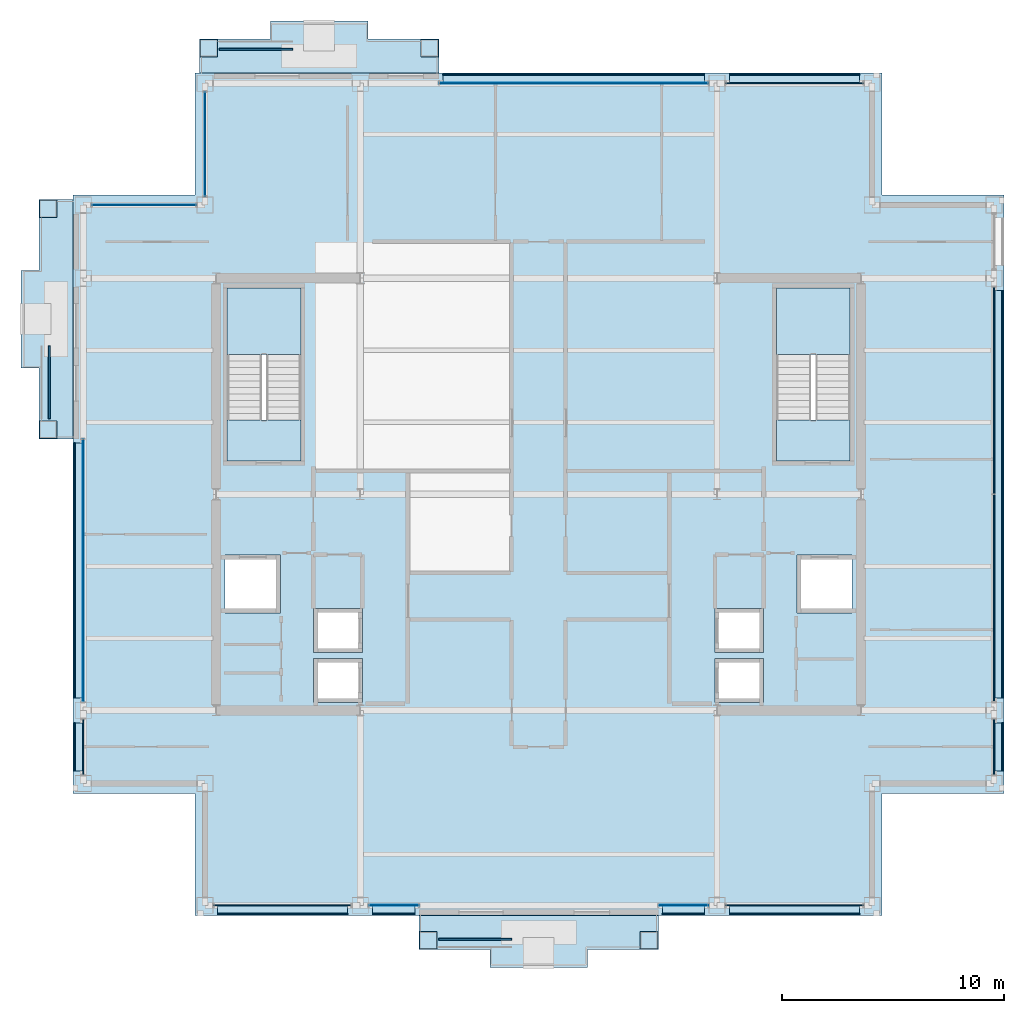
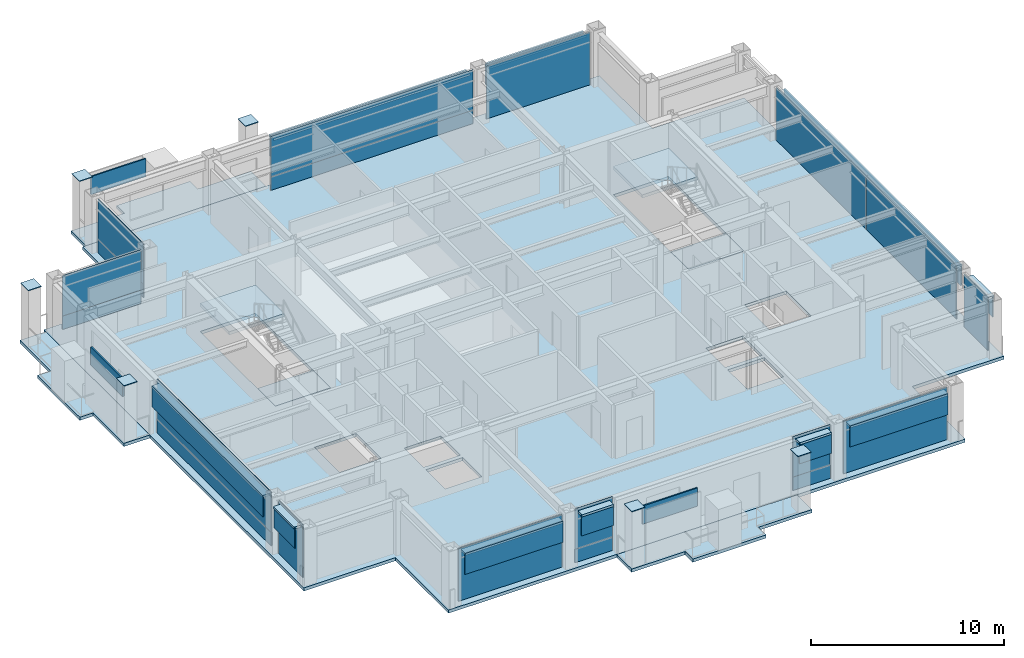
# One storey, part 23 of 30: 48 plates, 8 slabs, 14 elements without a shape of their own.
"""IFC4 building model written with IfcOpenShell, lengths in metres."""

from ifc_helpers import new_model, si_unit, direction, frame, origin, origin_2d, place, context, subcontext, project, spatial, polyline, rectangle, outline, extrude, material, layer, layer_set, type_object, element, aggregate, save


model = new_model("IFC4")

# Units and contexts
model_context = context("Model", 3, precision=1e-05, world=origin(), true_north=direction((0.0, 1.0)))
body_context = subcontext(model_context, "Body", "Model", "MODEL_VIEW")
ifc_project = project(units=[si_unit("LENGTHUNIT", "METRE"), si_unit("AREAUNIT", "SQUARE_METRE"), si_unit("VOLUMEUNIT", "CUBIC_METRE"), si_unit("PLANEANGLEUNIT", "RADIAN"), si_unit("MASSUNIT", "GRAM", prefix="KILO")], contexts=[model_context])

# Site, building, storey
site_placement = place(None, origin())
site = spatial("IfcSite", under=ifc_project, at=site_placement, CompositionType="ELEMENT")
building_placement = place(site_placement, origin())
building = spatial("IfcBuilding", under=site, at=building_placement, Name="Brelmoor Portico Tower", CompositionType="ELEMENT")
storey_placement = place(building_placement, frame((0.0, 0.0, 169.5)))
storey = spatial("IfcBuildingStorey", under=building, at=storey_placement, Name="L44", CompositionType="ELEMENT", Elevation=169.5)

# Plates
ifc_material_1 = material(Name="Steel Q355B", Category="steel")
ifc_layer_1 = layer(ifc_material_1, 0.044921875)
ifc_layer_set_1 = layer_set([ifc_layer_1], Name="Steel Q355B")
plate_type_1 = type_object("IfcPlateType", Name="PT-CAP-650", PredefinedType="SHEET", material=ifc_layer_set_1)
for number, where, z_axis, x_axis, name in (
    (1, (-4.97998046875, -20.1298828125, 3.60009765625), (0.0, 0.0, 1.0), (1.0, 0.0, 0.0), "L44 Proud Picture-Frame Pier PFJ-S1 Welded Head Cap Plate"),
    (2, (4.97998046875, -20.1298828125, 3.60009765625), (0.0, 0.0, 1.0), (1.0, 0.0, 0.0), "L44 Proud Picture-Frame Pier PFJ-S2 Welded Head Cap Plate"),
    (3, (-14.8798828125, 20.1298828125, 3.60009765625), (0.0, 0.0, 1.0), (1.0, 0.0, 0.0), "L44 Proud Picture-Frame Pier PFJ-N1 Welded Head Cap Plate"),
    (4, (-4.919921875, 20.1298828125, 3.60009765625), (0.0, 0.0, 1.0), (1.0, 0.0, 0.0), "L44 Proud Picture-Frame Pier PFJ-N2 Welded Head Cap Plate"),
    (5, (-22.1298828125, 2.919921875, 3.60009765625), (0.0, 0.0, 1.0), (0.0, 1.0, 0.0), "L44 Proud Picture-Frame Pier PFJ-W1 Welded Head Cap Plate"),
    (6, (-22.1298828125, 12.8798828125, 3.60009765625), (0.0, 0.0, 1.0), (0.0, 1.0, 0.0), "L44 Proud Picture-Frame Pier PFJ-W2 Welded Head Cap Plate"),
):
    element("IfcPlate", number, at=place(storey_placement, frame(where, z_axis=z_axis, x_axis=x_axis)), inside=storey, type_object=plate_type_1, Name=name, PredefinedType="SHEET", context=body_context, shape_type="SweptSolid", body=[
        extrude(rectangle(XDim=0.7900390625, YDim=0.7900390625, at=origin_2d()), origin(), (0.0, 0.0, 1.0), 0.0400390625),
    ])

# Curtain wall, plate
ifc_material_2 = material(Name="Anodised Aluminium Alloy 6063-T6", Category="aluminium")
ifc_layer_2 = layer(ifc_material_2, 0.179931640625)
ifc_layer_set_2 = layer_set([ifc_layer_2], Name="Anodised Aluminium Alloy 6063-T6")
curtain_wall_type_1 = type_object("IfcCurtainWallType", Name="CW-TOWER-Z3", PredefinedType="NOTDEFINED", material=ifc_layer_set_2)
curtain_wall_1_placement = place(storey_placement, origin())
curtain_wall_1 = element("IfcCurtainWall", 7, at=curtain_wall_1_placement, inside=storey, type_object=curtain_wall_type_1, Name="L44 Curtain Wall CW-L44-1L-2", PredefinedType="NOTDEFINED")
ifc_material_3 = material(Name="Double-Silver Low-E Insulated Glazing", Category="glass")
ifc_layer_3 = layer(ifc_material_3, 0.035888671875)
ifc_layer_set_3 = layer_set([ifc_layer_3], Name="Double-Silver Low-E Insulated Glazing")
plate_type_2 = type_object("IfcPlateType", Name="PT-CW-GLASS", PredefinedType="CURTAIN_PANEL", material=ifc_layer_set_3)
plate_1_placement = place(storey_placement, frame((-6.532470703125, -18.550048828125, 0.85009765625), z_axis=(0.0, 0.0, 1.0), x_axis=(1.0, 0.0, 0.0)))
plate_1 = element("IfcPlate", 8, at=plate_1_placement, type_object=plate_type_2, Name="CW-L44-1L-2 Vision Glass Panel 00", PredefinedType="CURTAIN_PANEL", context=body_context, shape_type="SweptSolid", body=[
    extrude(rectangle(XDim=2.235107421875, YDim=0.035888671875, at=origin_2d()), origin(), (0.0, 0.0, 1.0), 2.550048828125),
])

curtain_wall_2_placement = place(storey_placement, origin())
curtain_wall_2 = element("IfcCurtainWall", 9, at=curtain_wall_2_placement, inside=storey, type_object=curtain_wall_type_1, Name="L44 Curtain Wall CW-L44-1R-1", PredefinedType="NOTDEFINED")
plate_2_placement = place(storey_placement, frame((6.532470703125, -18.550048828125, 0.85009765625), z_axis=(0.0, 0.0, 1.0), x_axis=(1.0, 0.0, 0.0)))
plate_2 = element("IfcPlate", 10, at=plate_2_placement, type_object=plate_type_2, Name="CW-L44-1R-1 Vision Glass Panel 00", PredefinedType="CURTAIN_PANEL", context=body_context, shape_type="SweptSolid", body=[
    extrude(rectangle(XDim=2.235107421875, YDim=0.035888671875, at=origin_2d()), origin(), (0.0, 0.0, 1.0), 2.550048828125),
])

curtain_wall_3_placement = place(storey_placement, origin())
curtain_wall_3 = element("IfcCurtainWall", 11, at=curtain_wall_3_placement, inside=storey, type_object=curtain_wall_type_1, Name="L44 Curtain Wall CW-L44-2R-1", PredefinedType="NOTDEFINED")
plate_3_placement = place(storey_placement, frame((1.58251953125, 18.550048828125, 0.85009765625), z_axis=(0.0, 0.0, 1.0), x_axis=(1.0, 0.0, 0.0)))
plate_3 = element("IfcPlate", 12, at=plate_3_placement, type_object=plate_type_2, Name="CW-L44-2R-1 Vision Glass Panel 00", PredefinedType="CURTAIN_PANEL", context=body_context, shape_type="SweptSolid", body=[
    extrude(rectangle(XDim=12.135009765625, YDim=0.035888671875, at=origin_2d()), origin(), (0.0, 0.0, 1.0), 2.550048828125),
])

curtain_wall_4_placement = place(storey_placement, origin())
curtain_wall_4 = element("IfcCurtainWall", 13, at=curtain_wall_4_placement, inside=storey, type_object=curtain_wall_type_1, Name="L44 Curtain Wall CW-L44-3L-2", PredefinedType="NOTDEFINED")
plate_4_placement = place(storey_placement, frame((-20.550048828125, -3.4326171875, 0.85009765625), z_axis=(0.0, 0.0, 1.0), x_axis=(0.0, 1.0, 0.0)))
plate_4 = element("IfcPlate", 14, at=plate_4_placement, type_object=plate_type_2, Name="CW-L44-3L-2 Vision Glass Panel 00", PredefinedType="CURTAIN_PANEL", context=body_context, shape_type="SweptSolid", body=[
    extrude(rectangle(XDim=11.8349609375, YDim=0.035888671875, at=origin_2d()), origin(), (0.0, 0.0, 1.0), 2.550048828125),
])

ifc_layer_4 = layer(ifc_material_2, 0.179931640625)
ifc_layer_set_4 = layer_set([ifc_layer_4], Name="Anodised Aluminium Alloy 6063-T6")
curtain_wall_type_2 = type_object("IfcCurtainWallType", Name="CW-NOTCH-CHAMFER", PredefinedType="NOTDEFINED", material=ifc_layer_set_4)
curtain_wall_5_placement = place(storey_placement, origin())
curtain_wall_5 = element("IfcCurtainWall", 15, at=curtain_wall_5_placement, inside=storey, type_object=curtain_wall_type_2, Name="L44 Curtain Wall CWN-L44-NWH", PredefinedType="NOTDEFINED")
plate_5_placement = place(storey_placement, frame((-17.800048828125, 13.050048828125, 0.85009765625), z_axis=(0.0, 0.0, 1.0), x_axis=(1.0, 0.0, 0.0)))
plate_5 = element("IfcPlate", 16, at=plate_5_placement, type_object=plate_type_2, Name="CWN-L44-NWH Vision Glass Panel 00", PredefinedType="CURTAIN_PANEL", context=body_context, shape_type="SweptSolid", body=[
    extrude(rectangle(XDim=4.699951171875, YDim=0.035888671875, at=origin_2d()), origin(), (0.0, 0.0, 1.0), 2.550048828125),
])

curtain_wall_6_placement = place(storey_placement, origin())
curtain_wall_6 = element("IfcCurtainWall", 17, at=curtain_wall_6_placement, inside=storey, type_object=curtain_wall_type_2, Name="L44 Curtain Wall CWN-L44-NWV", PredefinedType="NOTDEFINED")
plate_6_placement = place(storey_placement, frame((-15.050048828125, 15.800048828125, 0.85009765625), z_axis=(0.0, 0.0, 1.0), x_axis=(0.0, 1.0, 0.0)))
plate_6 = element("IfcPlate", 18, at=plate_6_placement, type_object=plate_type_2, Name="CWN-L44-NWV Vision Glass Panel 00", PredefinedType="CURTAIN_PANEL", context=body_context, shape_type="SweptSolid", body=[
    extrude(rectangle(XDim=4.699951171875, YDim=0.035888671875, at=origin_2d()), origin(), (0.0, 0.0, 1.0), 2.550048828125),
])

ifc_layer_5 = layer(ifc_material_2, 0.179931640625)
ifc_layer_set_5 = layer_set([ifc_layer_5], Name="Anodised Aluminium Alloy 6063-T6")
curtain_wall_type_3 = type_object("IfcCurtainWallType", Name="CW-TOWER-Z3-XB", PredefinedType="NOTDEFINED", material=ifc_layer_set_5)
curtain_wall_7_placement = place(storey_placement, origin())
curtain_wall_7 = element("IfcCurtainWall", 19, at=curtain_wall_7_placement, inside=storey, type_object=curtain_wall_type_3, Name="L44 Curtain Wall CW-L44-1L-1", PredefinedType="NOTDEFINED")
ifc_material_4 = material(Name="Pale Champagne Anodised Aluminium Panel", Category="aluminium")
ifc_layer_6 = layer(ifc_material_4, 0.050048828125)
ifc_layer_set_6 = layer_set([ifc_layer_6], Name="Pale Champagne Anodised Aluminium Panel")
plate_type_3 = type_object("IfcPlateType", Name="PT-CW-SPANDREL", PredefinedType="SHEET", material=ifc_layer_set_6)
plate_7_placement = place(storey_placement, frame((-11.550048828125, -18.550048828125, 0.0), z_axis=(0.0, 0.0, 1.0), x_axis=(1.0, 0.0, 0.0)))
plate_7 = element("IfcPlate", 20, at=plate_7_placement, type_object=plate_type_3, Name="CW-L44-1L-1 Spandrel Panel 00", PredefinedType="SHEET", context=body_context, shape_type="SweptSolid", body=[
    extrude(rectangle(XDim=6.199951171875, YDim=0.050048828125, at=origin_2d()), origin(), (0.0, 0.0, 1.0), 3.33740234375),
])
aggregate(curtain_wall_7, [plate_7])

# Plate
plate_8_placement = place(storey_placement, frame((-6.532470703125, -18.550048828125, 0.0), z_axis=(0.0, 0.0, 1.0), x_axis=(1.0, 0.0, 0.0)))
plate_8 = element("IfcPlate", 21, at=plate_8_placement, type_object=plate_type_3, Name="CW-L44-1L-2 Spandrel Panel 00", PredefinedType="SHEET", context=body_context, shape_type="SweptSolid", body=[
    extrude(rectangle(XDim=2.235107421875, YDim=0.050048828125, at=origin_2d()), origin(), (0.0, 0.0, 1.0), 0.85009765625),
])

aggregate(curtain_wall_1, [plate_8, plate_1])

plate_9_placement = place(storey_placement, frame((6.532470703125, -18.550048828125, 0.0), z_axis=(0.0, 0.0, 1.0), x_axis=(1.0, 0.0, 0.0)))
plate_9 = element("IfcPlate", 22, at=plate_9_placement, type_object=plate_type_3, Name="CW-L44-1R-1 Spandrel Panel 00", PredefinedType="SHEET", context=body_context, shape_type="SweptSolid", body=[
    extrude(rectangle(XDim=2.235107421875, YDim=0.050048828125, at=origin_2d()), origin(), (0.0, 0.0, 1.0), 0.85009765625),
])

aggregate(curtain_wall_2, [plate_9, plate_2])

# Curtain wall, plate
curtain_wall_8_placement = place(storey_placement, origin())
curtain_wall_8 = element("IfcCurtainWall", 23, at=curtain_wall_8_placement, inside=storey, type_object=curtain_wall_type_3, Name="L44 Curtain Wall CW-L44-1R-2", PredefinedType="NOTDEFINED")
plate_10_placement = place(storey_placement, frame((11.550048828125, -18.550048828125, 0.0), z_axis=(0.0, 0.0, 1.0), x_axis=(1.0, 0.0, 0.0)))
plate_10 = element("IfcPlate", 24, at=plate_10_placement, type_object=plate_type_3, Name="CW-L44-1R-2 Spandrel Panel 00", PredefinedType="SHEET", context=body_context, shape_type="SweptSolid", body=[
    extrude(rectangle(XDim=6.199951171875, YDim=0.050048828125, at=origin_2d()), origin(), (0.0, 0.0, 1.0), 3.33740234375),
])
aggregate(curtain_wall_8, [plate_10])

# Plate
plate_11_placement = place(storey_placement, frame((1.58251953125, 18.550048828125, 0.0), z_axis=(0.0, 0.0, 1.0), x_axis=(1.0, 0.0, 0.0)))
plate_11 = element("IfcPlate", 25, at=plate_11_placement, type_object=plate_type_3, Name="CW-L44-2R-1 Spandrel Panel 00", PredefinedType="SHEET", context=body_context, shape_type="SweptSolid", body=[
    extrude(rectangle(XDim=12.135009765625, YDim=0.050048828125, at=origin_2d()), origin(), (0.0, 0.0, 1.0), 0.85009765625),
])

aggregate(curtain_wall_3, [plate_11, plate_3])

# Curtain wall, plate
curtain_wall_9_placement = place(storey_placement, origin())
curtain_wall_9 = element("IfcCurtainWall", 26, at=curtain_wall_9_placement, inside=storey, type_object=curtain_wall_type_3, Name="L44 Curtain Wall CW-L44-2R-2", PredefinedType="NOTDEFINED")
plate_12_placement = place(storey_placement, frame((11.550048828125, 18.550048828125, 0.0), z_axis=(0.0, 0.0, 1.0), x_axis=(1.0, 0.0, 0.0)))
plate_12 = element("IfcPlate", 27, at=plate_12_placement, type_object=plate_type_3, Name="CW-L44-2R-2 Spandrel Panel 00", PredefinedType="SHEET", context=body_context, shape_type="SweptSolid", body=[
    extrude(rectangle(XDim=6.199951171875, YDim=0.050048828125, at=origin_2d()), origin(), (0.0, 0.0, 1.0), 3.33740234375),
])
aggregate(curtain_wall_9, [plate_12])

curtain_wall_10_placement = place(storey_placement, origin())
curtain_wall_10 = element("IfcCurtainWall", 28, at=curtain_wall_10_placement, inside=storey, type_object=curtain_wall_type_3, Name="L44 Curtain Wall CW-L44-3L-1", PredefinedType="NOTDEFINED")
plate_13_placement = place(storey_placement, frame((-20.550048828125, -11.39990234375, 0.0), z_axis=(0.0, 0.0, 1.0), x_axis=(0.0, 1.0, 0.0)))
plate_13 = element("IfcPlate", 29, at=plate_13_placement, type_object=plate_type_3, Name="CW-L44-3L-1 Spandrel Panel 00", PredefinedType="SHEET", context=body_context, shape_type="SweptSolid", body=[
    extrude(rectangle(XDim=2.5, YDim=0.050048828125, at=origin_2d()), origin(), (0.0, 0.0, 1.0), 3.33740234375),
])
aggregate(curtain_wall_10, [plate_13])

# Plate
plate_14_placement = place(storey_placement, frame((-20.550048828125, -3.4326171875, 0.0), z_axis=(0.0, 0.0, 1.0), x_axis=(0.0, 1.0, 0.0)))
plate_14 = element("IfcPlate", 30, at=plate_14_placement, type_object=plate_type_3, Name="CW-L44-3L-2 Spandrel Panel 00", PredefinedType="SHEET", context=body_context, shape_type="SweptSolid", body=[
    extrude(rectangle(XDim=11.8349609375, YDim=0.050048828125, at=origin_2d()), origin(), (0.0, 0.0, 1.0), 0.85009765625),
])

aggregate(curtain_wall_4, [plate_14, plate_4])

# Curtain wall, plate
curtain_wall_11_placement = place(storey_placement, origin())
curtain_wall_11 = element("IfcCurtainWall", 31, at=curtain_wall_11_placement, inside=storey, type_object=curtain_wall_type_3, Name="L44 Curtain Wall CW-L44-04-1", PredefinedType="NOTDEFINED")
plate_15_placement = place(storey_placement, frame((20.550048828125, -11.39990234375, 0.0), z_axis=(0.0, 0.0, 1.0), x_axis=(0.0, 1.0, 0.0)))
plate_15 = element("IfcPlate", 32, at=plate_15_placement, type_object=plate_type_3, Name="CW-L44-04-1 Spandrel Panel 00", PredefinedType="SHEET", context=body_context, shape_type="SweptSolid", body=[
    extrude(rectangle(XDim=2.5, YDim=0.050048828125, at=origin_2d()), origin(), (0.0, 0.0, 1.0), 3.33740234375),
])
aggregate(curtain_wall_11, [plate_15])

# Curtain wall, plates
curtain_wall_12_placement = place(storey_placement, origin())
curtain_wall_12 = element("IfcCurtainWall", 33, at=curtain_wall_12_placement, inside=storey, type_object=curtain_wall_type_3, Name="L44 Curtain Wall CW-L44-04-2", PredefinedType="NOTDEFINED")
plate_16_placement = place(storey_placement, frame((20.550048828125, -4.6826171875, 0.0), z_axis=(0.0, 0.0, 1.0), x_axis=(0.0, 1.0, 0.0)))
plate_16 = element("IfcPlate", 34, at=plate_16_placement, type_object=plate_type_3, Name="CW-L44-04-2 Spandrel Panel 00", PredefinedType="SHEET", context=body_context, shape_type="SweptSolid", body=[
    extrude(rectangle(XDim=9.3349609375, YDim=0.050048828125, at=origin_2d()), origin(), (0.0, 0.0, 1.0), 3.33740234375),
])
plate_17_placement = place(storey_placement, frame((20.550048828125, 4.6826171875, 0.0), z_axis=(0.0, 0.0, 1.0), x_axis=(0.0, 1.0, 0.0)))
plate_17 = element("IfcPlate", 35, at=plate_17_placement, type_object=plate_type_3, Name="CW-L44-04-2 Spandrel Panel 01", PredefinedType="SHEET", context=body_context, shape_type="SweptSolid", body=[
    extrude(rectangle(XDim=9.3349609375, YDim=0.050048828125, at=origin_2d()), origin(), (0.0, 0.0, 1.0), 3.33740234375),
])
aggregate(curtain_wall_12, [plate_16, plate_17])

# Plate
plate_18_placement = place(storey_placement, frame((-17.800048828125, 13.050048828125, 0.0), z_axis=(0.0, 0.0, 1.0), x_axis=(1.0, 0.0, 0.0)))
plate_18 = element("IfcPlate", 36, at=plate_18_placement, type_object=plate_type_3, Name="CWN-L44-NWH Spandrel Panel 00", PredefinedType="SHEET", context=body_context, shape_type="SweptSolid", body=[
    extrude(rectangle(XDim=4.699951171875, YDim=0.050048828125, at=origin_2d()), origin(), (0.0, 0.0, 1.0), 0.85009765625),
])

aggregate(curtain_wall_5, [plate_18, plate_5])

plate_19_placement = place(storey_placement, frame((-15.050048828125, 15.800048828125, 0.0), z_axis=(0.0, 0.0, 1.0), x_axis=(0.0, 1.0, 0.0)))
plate_19 = element("IfcPlate", 37, at=plate_19_placement, type_object=plate_type_3, Name="CWN-L44-NWV Spandrel Panel 00", PredefinedType="SHEET", context=body_context, shape_type="SweptSolid", body=[
    extrude(rectangle(XDim=4.699951171875, YDim=0.050048828125, at=origin_2d()), origin(), (0.0, 0.0, 1.0), 0.85009765625),
])

aggregate(curtain_wall_6, [plate_19, plate_6])

# Plates
ifc_material_5 = material(Name="Powder-Coated Aluminium Shuttered Jalousie Louvre", Category="aluminium")
ifc_layer_7 = layer(ifc_material_5, 0.06005859375)
ifc_layer_set_7 = layer_set([ifc_layer_7], Name="Powder-Coated Aluminium Shuttered Jalousie Louvre")
plate_type_4 = type_object("IfcPlateType", Name="PT-JALOUSIE-SHUTTER", PredefinedType="SHEET", material=ifc_layer_set_7)
plate_20_placement = place(storey_placement, frame((-11.550048828125, -18.929931640625, 1.8740234375), z_axis=(0.0, 0.0, 1.0), x_axis=(1.0, 0.0, 0.0)))
element("IfcPlate", 38, at=plate_20_placement, inside=storey, type_object=plate_type_4, Name="CW-L44-1L-1 Perforated Jalousie Solar Screen", PredefinedType="SHEET", context=body_context, shape_type="SweptSolid", body=[
    extrude(rectangle(XDim=5.8701171875, YDim=0.06494140625, at=origin_2d()), origin(), (0.0, 0.0, 1.0), 1.325927734375),
])
for number, where, z_axis, x_axis, name in (
    (39, (-6.532470703125, -18.929931640625, 1.8740234375), (0.0, 0.0, 1.0), (1.0, 0.0, 0.0), "CW-L44-1L-2 Perforated Jalousie Solar Screen"),
    (40, (6.532470703125, -18.929931640625, 1.8740234375), (0.0, 0.0, 1.0), (1.0, 0.0, 0.0), "CW-L44-1R-1 Perforated Jalousie Solar Screen"),
):
    element("IfcPlate", number, at=place(storey_placement, frame(where, z_axis=z_axis, x_axis=x_axis)), inside=storey, type_object=plate_type_4, Name=name, PredefinedType="SHEET", context=body_context, shape_type="SweptSolid", body=[
        extrude(rectangle(XDim=1.905029296875, YDim=0.06494140625, at=origin_2d()), origin(), (0.0, 0.0, 1.0), 1.325927734375),
    ])
plate_21_placement = place(storey_placement, frame((11.550048828125, -18.929931640625, 1.8740234375), z_axis=(0.0, 0.0, 1.0), x_axis=(1.0, 0.0, 0.0)))
element("IfcPlate", 41, at=plate_21_placement, inside=storey, type_object=plate_type_4, Name="CW-L44-1R-2 Perforated Jalousie Solar Screen", PredefinedType="SHEET", context=body_context, shape_type="SweptSolid", body=[
    extrude(rectangle(XDim=5.8701171875, YDim=0.06494140625, at=origin_2d()), origin(), (0.0, 0.0, 1.0), 1.325927734375),
])
plate_22_placement = place(storey_placement, frame((-2.85009765625, -20.080078125, 2.275146484375), z_axis=(0.0, 0.0, 1.0), x_axis=(1.0, 0.0, 0.0)))
element("IfcPlate", 42, at=plate_22_placement, inside=storey, type_object=plate_type_4, Name="L44 Shuttered Veranda Screen S", PredefinedType="SHEET", context=body_context, shape_type="SweptSolid", body=[
    extrude(rectangle(XDim=3.300048828125, YDim=0.080078125, at=origin_2d()), origin(), (0.0, 0.0, 1.0), 1.14990234375),
])
plate_23_placement = place(storey_placement, frame((1.58251953125, 18.929931640625, 1.8740234375), z_axis=(0.0, 0.0, 1.0), x_axis=(1.0, 0.0, 0.0)))
element("IfcPlate", 43, at=plate_23_placement, inside=storey, type_object=plate_type_4, Name="CW-L44-2R-1 Perforated Jalousie Solar Screen", PredefinedType="SHEET", context=body_context, shape_type="SweptSolid", body=[
    extrude(rectangle(XDim=11.804931640625, YDim=0.06494140625, at=origin_2d()), origin(), (0.0, 0.0, 1.0), 1.325927734375),
])
plate_24_placement = place(storey_placement, frame((11.550048828125, 18.929931640625, 1.8740234375), z_axis=(0.0, 0.0, 1.0), x_axis=(1.0, 0.0, 0.0)))
element("IfcPlate", 44, at=plate_24_placement, inside=storey, type_object=plate_type_4, Name="CW-L44-2R-2 Perforated Jalousie Solar Screen", PredefinedType="SHEET", context=body_context, shape_type="SweptSolid", body=[
    extrude(rectangle(XDim=5.8701171875, YDim=0.06494140625, at=origin_2d()), origin(), (0.0, 0.0, 1.0), 1.325927734375),
])
plate_25_placement = place(storey_placement, frame((-12.75, 20.080078125, 2.275146484375), z_axis=(0.0, 0.0, 1.0), x_axis=(1.0, 0.0, 0.0)))
element("IfcPlate", 45, at=plate_25_placement, inside=storey, type_object=plate_type_4, Name="L44 Shuttered Veranda Screen N", PredefinedType="SHEET", context=body_context, shape_type="SweptSolid", body=[
    extrude(rectangle(XDim=3.300048828125, YDim=0.080078125, at=origin_2d()), origin(), (0.0, 0.0, 1.0), 1.14990234375),
])
plate_26_placement = place(storey_placement, frame((-20.929931640625, -11.39990234375, 1.8740234375), z_axis=(0.0, 0.0, 1.0), x_axis=(0.0, 1.0, 0.0)))
element("IfcPlate", 46, at=plate_26_placement, inside=storey, type_object=plate_type_4, Name="CW-L44-3L-1 Perforated Jalousie Solar Screen", PredefinedType="SHEET", context=body_context, shape_type="SweptSolid", body=[
    extrude(rectangle(XDim=2.169921875, YDim=0.06494140625, at=origin_2d()), origin(), (0.0, 0.0, 1.0), 1.325927734375),
])
plate_27_placement = place(storey_placement, frame((-20.929931640625, -3.4326171875, 1.8740234375), z_axis=(0.0, 0.0, 1.0), x_axis=(0.0, 1.0, 0.0)))
element("IfcPlate", 47, at=plate_27_placement, inside=storey, type_object=plate_type_4, Name="CW-L44-3L-2 Perforated Jalousie Solar Screen", PredefinedType="SHEET", context=body_context, shape_type="SweptSolid", body=[
    extrude(rectangle(XDim=11.5048828125, YDim=0.06494140625, at=origin_2d()), origin(), (0.0, 0.0, 1.0), 1.325927734375),
])
plate_28_placement = place(storey_placement, frame((-22.080078125, 5.050048828125, 2.275146484375), z_axis=(0.0, 0.0, 1.0), x_axis=(0.0, 1.0, 0.0)))
element("IfcPlate", 48, at=plate_28_placement, inside=storey, type_object=plate_type_4, Name="L44 Shuttered Veranda Screen W", PredefinedType="SHEET", context=body_context, shape_type="SweptSolid", body=[
    extrude(rectangle(XDim=3.300048828125, YDim=0.080078125, at=origin_2d()), origin(), (0.0, 0.0, 1.0), 1.14990234375),
])
plate_29_placement = place(storey_placement, frame((20.929931640625, -11.39990234375, 1.8740234375), z_axis=(0.0, 0.0, 1.0), x_axis=(0.0, 1.0, 0.0)))
element("IfcPlate", 49, at=plate_29_placement, inside=storey, type_object=plate_type_4, Name="CW-L44-04-1 Perforated Jalousie Solar Screen", PredefinedType="SHEET", context=body_context, shape_type="SweptSolid", body=[
    extrude(rectangle(XDim=2.169921875, YDim=0.06494140625, at=origin_2d()), origin(), (0.0, 0.0, 1.0), 1.325927734375),
])
plate_30_placement = place(storey_placement, frame((20.929931640625, 0.0, 1.8740234375), z_axis=(0.0, 0.0, 1.0), x_axis=(0.0, 1.0, 0.0)))
element("IfcPlate", 50, at=plate_30_placement, inside=storey, type_object=plate_type_4, Name="CW-L44-04-2 Perforated Jalousie Solar Screen", PredefinedType="SHEET", context=body_context, shape_type="SweptSolid", body=[
    extrude(rectangle(XDim=18.3701171875, YDim=0.06494140625, at=origin_2d()), origin(), (0.0, 0.0, 1.0), 1.325927734375),
])
ifc_material_6 = material(Name="Pale Champagne Perforated Aluminium Solar Screen", Category="aluminium")
ifc_layer_8 = layer(ifc_material_6, 0.054931640625)
ifc_layer_set_8 = layer_set([ifc_layer_8], Name="Pale Champagne Perforated Aluminium Solar Screen")
plate_type_5 = type_object("IfcPlateType", Name="PT-SOLAR-LOUVRE", PredefinedType="SHEET", material=ifc_layer_set_8)
plate_31_placement = place(storey_placement, frame((-11.550048828125, -18.760009765625, 3.08984375), z_axis=(0.0, 0.0, 1.0), x_axis=(1.0, 0.0, 0.0)))
element("IfcPlate", 51, at=plate_31_placement, inside=storey, type_object=plate_type_5, Name="CW-L44-1L-1 Caribbean Brise-Soleil Solar Screen", PredefinedType="SHEET", context=body_context, shape_type="SweptSolid", body=[
    extrude(rectangle(XDim=5.8701171875, YDim=0.4599609375, at=origin_2d()), origin(), (0.0, 0.0, 1.0), 0.139892578125),
])
for number, where, z_axis, x_axis, name in (
    (52, (-6.532470703125, -18.760009765625, 3.08984375), (0.0, 0.0, 1.0), (1.0, 0.0, 0.0), "CW-L44-1L-2 Caribbean Brise-Soleil Solar Screen"),
    (53, (6.532470703125, -18.760009765625, 3.08984375), (0.0, 0.0, 1.0), (1.0, 0.0, 0.0), "CW-L44-1R-1 Caribbean Brise-Soleil Solar Screen"),
):
    element("IfcPlate", number, at=place(storey_placement, frame(where, z_axis=z_axis, x_axis=x_axis)), inside=storey, type_object=plate_type_5, Name=name, PredefinedType="SHEET", context=body_context, shape_type="SweptSolid", body=[
        extrude(rectangle(XDim=1.905029296875, YDim=0.4599609375, at=origin_2d()), origin(), (0.0, 0.0, 1.0), 0.139892578125),
    ])
plate_32_placement = place(storey_placement, frame((11.550048828125, -18.760009765625, 3.08984375), z_axis=(0.0, 0.0, 1.0), x_axis=(1.0, 0.0, 0.0)))
element("IfcPlate", 54, at=plate_32_placement, inside=storey, type_object=plate_type_5, Name="CW-L44-1R-2 Caribbean Brise-Soleil Solar Screen", PredefinedType="SHEET", context=body_context, shape_type="SweptSolid", body=[
    extrude(rectangle(XDim=5.8701171875, YDim=0.4599609375, at=origin_2d()), origin(), (0.0, 0.0, 1.0), 0.139892578125),
])
plate_33_placement = place(storey_placement, frame((1.58251953125, 18.760009765625, 3.08984375), z_axis=(0.0, 0.0, 1.0), x_axis=(1.0, 0.0, 0.0)))
element("IfcPlate", 55, at=plate_33_placement, inside=storey, type_object=plate_type_5, Name="CW-L44-2R-1 Caribbean Brise-Soleil Solar Screen", PredefinedType="SHEET", context=body_context, shape_type="SweptSolid", body=[
    extrude(rectangle(XDim=11.804931640625, YDim=0.4599609375, at=origin_2d()), origin(), (0.0, 0.0, 1.0), 0.139892578125),
])
plate_34_placement = place(storey_placement, frame((11.550048828125, 18.760009765625, 3.08984375), z_axis=(0.0, 0.0, 1.0), x_axis=(1.0, 0.0, 0.0)))
element("IfcPlate", 56, at=plate_34_placement, inside=storey, type_object=plate_type_5, Name="CW-L44-2R-2 Caribbean Brise-Soleil Solar Screen", PredefinedType="SHEET", context=body_context, shape_type="SweptSolid", body=[
    extrude(rectangle(XDim=5.8701171875, YDim=0.4599609375, at=origin_2d()), origin(), (0.0, 0.0, 1.0), 0.139892578125),
])
plate_35_placement = place(storey_placement, frame((-20.760009765625, -11.39990234375, 3.08984375), z_axis=(0.0, 0.0, 1.0), x_axis=(0.0, 1.0, 0.0)))
element("IfcPlate", 57, at=plate_35_placement, inside=storey, type_object=plate_type_5, Name="CW-L44-3L-1 Caribbean Brise-Soleil Solar Screen", PredefinedType="SHEET", context=body_context, shape_type="SweptSolid", body=[
    extrude(rectangle(XDim=2.169921875, YDim=0.4599609375, at=origin_2d()), origin(), (0.0, 0.0, 1.0), 0.139892578125),
])
plate_36_placement = place(storey_placement, frame((-20.760009765625, -3.4326171875, 3.08984375), z_axis=(0.0, 0.0, 1.0), x_axis=(0.0, 1.0, 0.0)))
element("IfcPlate", 58, at=plate_36_placement, inside=storey, type_object=plate_type_5, Name="CW-L44-3L-2 Caribbean Brise-Soleil Solar Screen", PredefinedType="SHEET", context=body_context, shape_type="SweptSolid", body=[
    extrude(rectangle(XDim=11.5048828125, YDim=0.4599609375, at=origin_2d()), origin(), (0.0, 0.0, 1.0), 0.139892578125),
])
plate_37_placement = place(storey_placement, frame((20.760009765625, -11.39990234375, 3.08984375), z_axis=(0.0, 0.0, 1.0), x_axis=(0.0, 1.0, 0.0)))
element("IfcPlate", 59, at=plate_37_placement, inside=storey, type_object=plate_type_5, Name="CW-L44-04-1 Caribbean Brise-Soleil Solar Screen", PredefinedType="SHEET", context=body_context, shape_type="SweptSolid", body=[
    extrude(rectangle(XDim=2.169921875, YDim=0.4599609375, at=origin_2d()), origin(), (0.0, 0.0, 1.0), 0.139892578125),
])
plate_38_placement = place(storey_placement, frame((20.760009765625, 0.0, 3.08984375), z_axis=(0.0, 0.0, 1.0), x_axis=(0.0, 1.0, 0.0)))
element("IfcPlate", 60, at=plate_38_placement, inside=storey, type_object=plate_type_5, Name="CW-L44-04-2 Caribbean Brise-Soleil Solar Screen", PredefinedType="SHEET", context=body_context, shape_type="SweptSolid", body=[
    extrude(rectangle(XDim=18.3701171875, YDim=0.4599609375, at=origin_2d()), origin(), (0.0, 0.0, 1.0), 0.139892578125),
])

# Slabs
ifc_material_7 = material(Name="Concrete C40", Category="concrete")
ifc_layer_9 = layer(ifc_material_7, 0.199951171875)
ifc_layer_set_9 = layer_set([ifc_layer_9], Name="Concrete C40")
slab_type_1 = type_object("IfcSlabType", Name="SL-BALCONY-200", PredefinedType="FLOOR", material=ifc_layer_set_9)
slab_1_placement = place(storey_placement, frame((0.0, 0.0, -0.199951171875)))
element("IfcSlab", 61, at=slab_1_placement, inside=storey, type_object=slab_type_1, Name="L44 Loggia Tree Balcony Slab S", PredefinedType="FLOOR", context=body_context, shape_type="SweptSolid", body=[
    extrude(outline(polyline([(-5.39990234375, -20.550048828125), (-2.199951171875, -20.550048828125), (-2.199951171875, -21.35009765625), (2.199951171875, -21.35009765625), (2.199951171875, -20.550048828125), (5.39990234375, -20.550048828125), (5.39990234375, -19.0), (-5.39990234375, -19.0), (-5.39990234375, -20.550048828125)])), origin(), (0.0, 0.0, 1.0), 0.199951171875),
])
slab_2_placement = place(storey_placement, frame((0.0, 0.0, -0.199951171875)))
element("IfcSlab", 62, at=slab_2_placement, inside=storey, type_object=slab_type_1, Name="L44 Loggia Tree Balcony Slab N", PredefinedType="FLOOR", context=body_context, shape_type="SweptSolid", body=[
    extrude(outline(polyline([(-15.300048828125, 19.0), (-4.5, 19.0), (-4.5, 20.550048828125), (-7.699951171875, 20.550048828125), (-7.699951171875, 21.35009765625), (-12.10009765625, 21.35009765625), (-12.10009765625, 20.550048828125), (-15.300048828125, 20.550048828125), (-15.300048828125, 19.0)])), origin(), (0.0, 0.0, 1.0), 0.199951171875),
])
slab_3_placement = place(storey_placement, frame((0.0, 0.0, -0.199951171875)))
element("IfcSlab", 63, at=slab_3_placement, inside=storey, type_object=slab_type_1, Name="L44 Loggia Tree Balcony Slab W", PredefinedType="FLOOR", context=body_context, shape_type="SweptSolid", body=[
    extrude(outline(polyline([(-22.550048828125, 2.5), (-21.0, 2.5), (-21.0, 13.300048828125), (-22.550048828125, 13.300048828125), (-22.550048828125, 10.10009765625), (-23.35009765625, 10.10009765625), (-23.35009765625, 5.699951171875), (-22.550048828125, 5.699951171875), (-22.550048828125, 2.5)])), origin(), (0.0, 0.0, 1.0), 0.199951171875),
])
ifc_layer_10 = layer(ifc_material_7, 0.199951171875)
ifc_layer_set_10 = layer_set([ifc_layer_10], Name="Concrete C40")
slab_type_2 = type_object("IfcSlabType", Name="SL-FLOOR-200", PredefinedType="FLOOR", material=ifc_layer_set_10)
slab_4_placement = place(storey_placement, frame((0.0, 0.0, -0.199951171875)))
element("IfcSlab", 64, at=slab_4_placement, inside=storey, type_object=slab_type_2, Name="L44 Main Structural Floor Slab", PredefinedType="FLOOR", context=body_context, shape_type="SweptSolid", body=[
    extrude(outline(polyline([(-15.5, -19.0), (15.5, -19.0), (15.5, -13.5), (21.0, -13.5), (21.0, 13.5), (15.5, 13.5), (15.5, 19.0), (-15.5, 19.0), (-15.5, 13.5), (-21.0, 13.5), (-21.0, -13.5), (-15.5, -13.5), (-15.5, -19.0)]), holes=[polyline([(-10.72998046875, 1.5), (-10.72998046875, 9.300048828125), (-14.050048828125, 9.300048828125), (-14.050048828125, 1.5), (-10.72998046875, 1.5)]), polyline([(14.050048828125, 1.5), (14.050048828125, 9.300048828125), (10.72998046875, 9.300048828125), (10.72998046875, 1.5), (14.050048828125, 1.5)]), polyline([(-10.14990234375, -9.39990234375), (-7.949951171875, -9.39990234375), (-7.949951171875, -7.39990234375), (-10.14990234375, -7.39990234375), (-10.14990234375, -9.39990234375)]), polyline([(-10.14990234375, -7.14990234375), (-7.949951171875, -7.14990234375), (-7.949951171875, -5.14990234375), (-10.14990234375, -5.14990234375), (-10.14990234375, -7.14990234375)]), polyline([(7.949951171875, -9.39990234375), (10.14990234375, -9.39990234375), (10.14990234375, -7.39990234375), (7.949951171875, -7.39990234375), (7.949951171875, -9.39990234375)]), polyline([(7.949951171875, -7.14990234375), (10.14990234375, -7.14990234375), (10.14990234375, -5.14990234375), (7.949951171875, -5.14990234375), (7.949951171875, -7.14990234375)]), polyline([(-14.14990234375, -5.35009765625), (-11.64990234375, -5.35009765625), (-11.64990234375, -2.75), (-14.14990234375, -2.75), (-14.14990234375, -5.35009765625)]), polyline([(11.64990234375, -5.35009765625), (14.14990234375, -5.35009765625), (14.14990234375, -2.75), (11.64990234375, -2.75), (11.64990234375, -5.35009765625)])]), origin(), (0.0, 0.0, 1.0), 0.199951171875),
])

# Stair, slab
stair_type_1 = type_object("IfcStairType", Name="ST-CORE-W", PredefinedType="HALF_TURN_STAIR", material=ifc_material_7)
stair_1_placement = place(storey_placement, origin())
stair_1 = element("IfcStair", 65, at=stair_1_placement, inside=storey, type_object=stair_type_1, Name="L44 Protected Core Exit Stair ST-W", PredefinedType="HALF_TURN_STAIR")
ifc_layer_11 = layer(ifc_material_7, 0.179931640625)
ifc_layer_set_11 = layer_set([ifc_layer_11], Name="Concrete C40")
slab_type_3 = type_object("IfcSlabType", Name="SL-LANDING-180", PredefinedType="LANDING", material=ifc_layer_set_11)
slab_5_placement = place(storey_placement, frame((0.0, 0.0, 1.60009765625)))
slab_5 = element("IfcSlab", 66, at=slab_5_placement, type_object=slab_type_3, Name="ST-W landing 1", PredefinedType="LANDING", context=body_context, shape_type="SweptSolid", body=[
    extrude(outline(polyline([(-10.72998046875, 6.300048828125), (-10.72998046875, 9.300048828125), (-14.050048828125, 9.300048828125), (-14.050048828125, 6.300048828125), (-10.72998046875, 6.300048828125)])), origin(), (0.0, 0.0, 1.0), 0.199951171875),
])
aggregate(stair_1, [slab_5])

stair_type_2 = type_object("IfcStairType", Name="ST-CORE-E", PredefinedType="HALF_TURN_STAIR", material=ifc_material_7)
stair_2_placement = place(storey_placement, origin())
stair_2 = element("IfcStair", 67, at=stair_2_placement, inside=storey, type_object=stair_type_2, Name="L44 Protected Core Exit Stair ST-E", PredefinedType="HALF_TURN_STAIR")
slab_6_placement = place(storey_placement, frame((0.0, 0.0, 1.60009765625)))
slab_6 = element("IfcSlab", 68, at=slab_6_placement, type_object=slab_type_3, Name="ST-E landing 1", PredefinedType="LANDING", context=body_context, shape_type="SweptSolid", body=[
    extrude(outline(polyline([(14.050048828125, 6.300048828125), (14.050048828125, 9.300048828125), (10.72998046875, 9.300048828125), (10.72998046875, 6.300048828125), (14.050048828125, 6.300048828125)])), origin(), (0.0, 0.0, 1.0), 0.199951171875),
])
aggregate(stair_2, [slab_6])

# Slabs
ifc_layer_12 = layer(ifc_material_7, 0.199951171875)
ifc_layer_set_12 = layer_set([ifc_layer_12], Name="Concrete C40")
slab_type_4 = type_object("IfcSlabType", Name="SL-STAIR-FL200", PredefinedType="LANDING", material=ifc_layer_set_12)
slab_7_placement = place(storey_placement, frame((0.0, 0.0, -0.199951171875)))
element("IfcSlab", 69, at=slab_7_placement, inside=storey, type_object=slab_type_4, Name="L44 ST-W Structural Floor Landing Slab", PredefinedType="LANDING", context=body_context, shape_type="SweptSolid", body=[
    extrude(outline(polyline([(-10.72998046875, 1.5), (-10.72998046875, 3.35009765625), (-14.050048828125, 3.35009765625), (-14.050048828125, 1.5), (-10.72998046875, 1.5)])), origin(), (0.0, 0.0, 1.0), 0.199951171875),
])
slab_8_placement = place(storey_placement, frame((0.0, 0.0, -0.199951171875)))
element("IfcSlab", 70, at=slab_8_placement, inside=storey, type_object=slab_type_4, Name="L44 ST-E Structural Floor Landing Slab", PredefinedType="LANDING", context=body_context, shape_type="SweptSolid", body=[
    extrude(outline(polyline([(14.050048828125, 1.5), (14.050048828125, 3.35009765625), (10.72998046875, 3.35009765625), (10.72998046875, 1.5), (14.050048828125, 1.5)])), origin(), (0.0, 0.0, 1.0), 0.199951171875),
])

save(model, "model.ifc")
